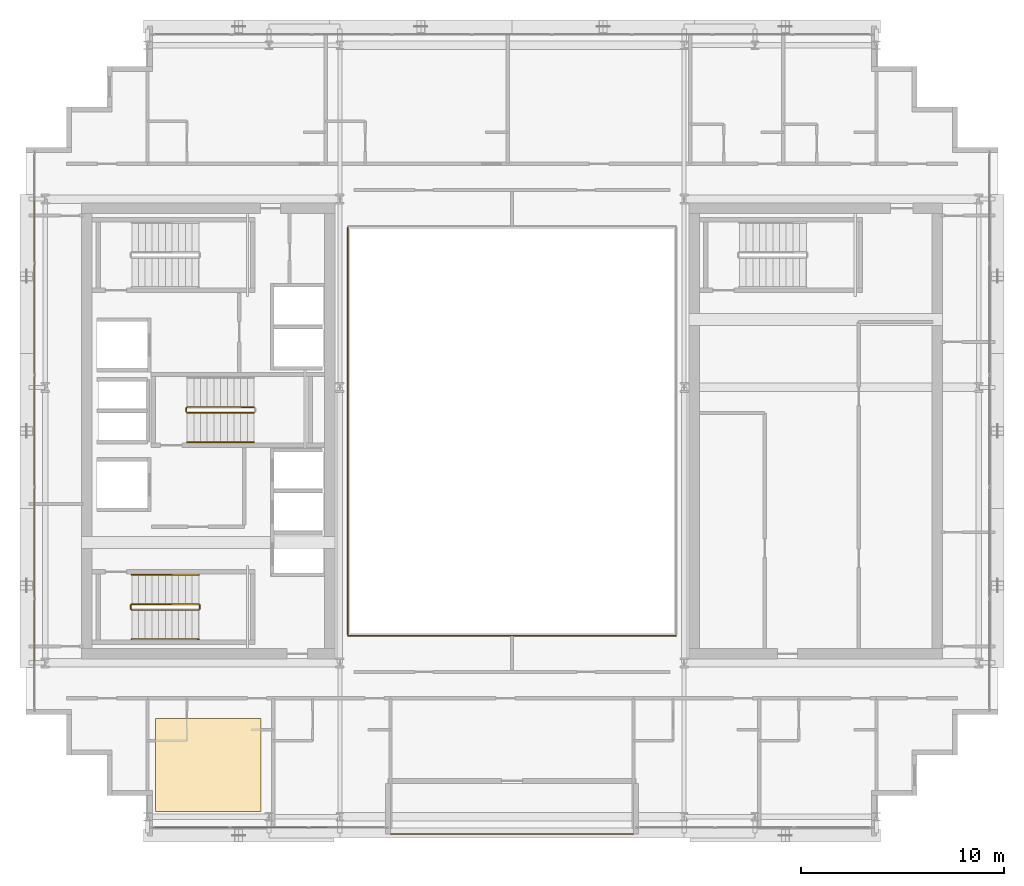
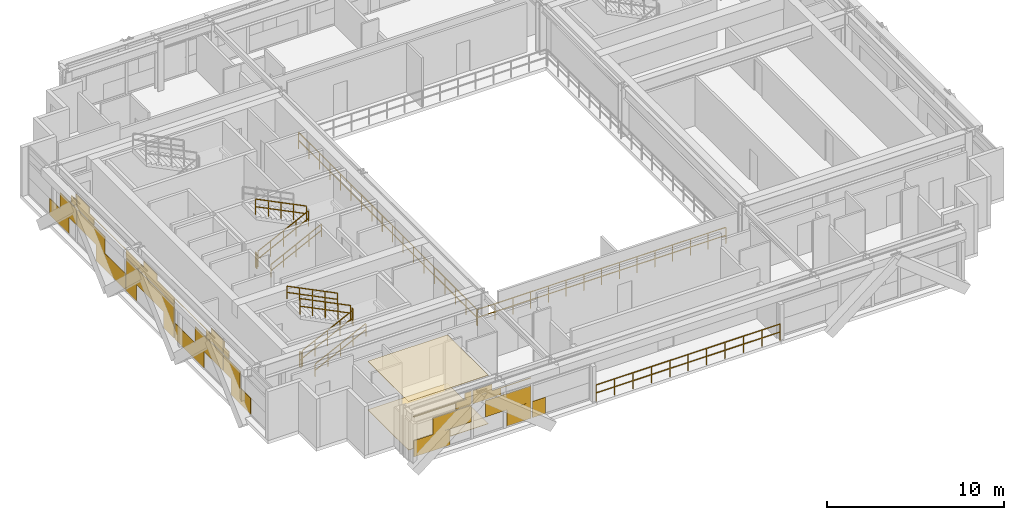
# One storey, part 28 of 31: 13 railings, 4 coverings.
"""IFC4 building model written with IfcOpenShell, lengths in metres."""

from ifc_helpers import new_model, si_unit, direction, frame, origin, origin_2d, place, context, subcontext, project, spatial, polyline, rectangle, outline, extrude, material, layer, layer_set, type_object, element, save


model = new_model("IFC4")

# Units and contexts
model_context = context("Model", 3, precision=1e-05, world=origin(), true_north=direction((0.0, 1.0)))
body_context = subcontext(model_context, "Body", "Model", "MODEL_VIEW")
ifc_project = project(units=[si_unit("LENGTHUNIT", "METRE"), si_unit("AREAUNIT", "SQUARE_METRE"), si_unit("VOLUMEUNIT", "CUBIC_METRE"), si_unit("PLANEANGLEUNIT", "RADIAN"), si_unit("MASSUNIT", "GRAM", prefix="KILO")], contexts=[model_context])

# Site, building, storey
site_placement = place(None, origin())
site = spatial("IfcSite", under=ifc_project, at=site_placement, CompositionType="ELEMENT")
building_placement = place(site_placement, origin())
building = spatial("IfcBuilding", under=site, at=building_placement, Name="Ocotamira Hotel", CompositionType="ELEMENT")
storey_placement = place(building_placement, frame((0.0, 0.0, 181.199951171875)))
storey = spatial("IfcBuildingStorey", under=building, at=storey_placement, Name="L45", CompositionType="ELEMENT", Elevation=181.199951171875)

# Coverings
ifc_material_1 = material(Name="Perforated acoustic gypsum ceiling board", Category="gypsum")
ifc_layer_1 = layer(ifc_material_1, 0.02490234375)
ifc_layer_set_1 = layer_set([ifc_layer_1], Name="Perforated acoustic gypsum ceiling board")
covering_type_1 = type_object("IfcCoveringType", Name="COV-CEIL-25", PredefinedType="CEILING", material=ifc_layer_set_1)
covering_1_placement = place(storey_placement, frame((0.0, 0.0, 3.344970703125)))
element("IfcCovering", 1, at=covering_1_placement, inside=storey, type_object=covering_type_1, Name="L45 Acoustic Ceiling", PredefinedType="CEILING", context=body_context, shape_type="SweptSolid", body=[
    extrude(outline(polyline([(14.39990234375, 7.199951171875), (19.60009765625, 7.199951171875), (19.60009765625, 11.800048828125), (14.39990234375, 11.800048828125), (14.39990234375, 7.199951171875)])), origin(), (0.0, 0.0, 1.0), 0.025146484375),
])
ifc_material_2 = material(Name="Honed desert travertine stone flooring", Category="masonry")
ifc_layer_2 = layer(ifc_material_2, 0.030029296875)
ifc_layer_set_2 = layer_set([ifc_layer_2], Name="Honed desert travertine stone flooring")
covering_type_2 = type_object("IfcCoveringType", Name="COV-FLOR-30", PredefinedType="FLOORING", material=ifc_layer_set_2)
covering_2_placement = place(storey_placement, origin())
element("IfcCovering", 2, at=covering_2_placement, inside=storey, type_object=covering_type_2, Name="L45 Honed Stone Floor Finish", PredefinedType="FLOORING", context=body_context, shape_type="SweptSolid", body=[
    extrude(outline(polyline([(14.39990234375, 7.199951171875), (19.60009765625, 7.199951171875), (19.60009765625, 11.800048828125), (14.39990234375, 11.800048828125), (14.39990234375, 7.199951171875)])), origin(), (0.0, 0.0, 1.0), 0.030029296875),
])
ifc_material_3 = material(Name="Insulated pale-metal aluminium spandrel panel", Category="aluminium")
ifc_layer_3 = layer(ifc_material_3, 0.044921875)
ifc_layer_set_3 = layer_set([ifc_layer_3], Name="Insulated pale-metal aluminium spandrel panel")
covering_type_3 = type_object("IfcCoveringType", Name="COV-INFILL-45", PredefinedType="CLADDING", material=ifc_layer_set_3)
covering_3_placement = place(storey_placement, origin())
element("IfcCovering", 3, at=covering_3_placement, inside=storey, type_object=covering_type_3, Name="L45 Curtain Wall Infill CW-4 CW-L45-S1", PredefinedType="CLADDING", context=body_context, shape_type="SweptSolid", body=[
    extrude(rectangle(XDim=2.37158203125, YDim=0.044921875, at=origin_2d()), frame((15.46630859375, 6.419921875, 0.07568359375), z_axis=(0.0, 0.0, 1.0), x_axis=(1.0, 0.0, 0.0)), (0.0, 0.0, 1.0), 1.117919921875),
    extrude(rectangle(XDim=2.510498046875, YDim=0.044921875, at=origin_2d()), frame((16.78759765625, 6.419921875, 1.1943359375), z_axis=(0.0, 0.0, 1.0), x_axis=(1.0, 0.0, 0.0)), (0.0, 0.0, 1.0), 1.11767578125),
    extrude(rectangle(XDim=3.76220703125, YDim=0.044921875, at=origin_2d()), frame((16.16162109375, 6.419921875, 2.83154296875), z_axis=(0.0, 0.0, 1.0), x_axis=(1.0, 0.0, 0.0)), (0.0, 0.0, 1.0), 0.0302734375),
    extrude(rectangle(XDim=1.018310546875, YDim=0.044921875, at=origin_2d()), frame((17.53369140625, 6.419921875, 2.38818359375), z_axis=(0.0, 0.0, 1.0), x_axis=(1.0, 0.0, 0.0)), (0.0, 0.0, 1.0), 0.442626953125),
    extrude(rectangle(XDim=0.4248046875, YDim=0.044921875, at=origin_2d()), frame((17.83056640625, 6.419921875, 2.863037109375), z_axis=(0.0, 0.0, 1.0), x_axis=(1.0, 0.0, 0.0)), (0.0, 0.0, 1.0), 0.431640625),
    extrude(rectangle(XDim=2.9765625, YDim=0.044921875, at=origin_2d()), frame((20.43798828125, 6.419921875, 1.1943359375), z_axis=(0.0, 0.0, 1.0), x_axis=(1.0, 0.0, 0.0)), (0.0, 0.0, 1.0), 1.11767578125),
    extrude(rectangle(XDim=1.578125, YDim=0.044921875, at=origin_2d()), frame((21.13720703125, 6.419921875, 0.07568359375), z_axis=(0.0, 0.0, 1.0), x_axis=(1.0, 0.0, 0.0)), (0.0, 0.0, 1.0), 1.117919921875),
    extrude(rectangle(XDim=1.8515625, YDim=0.044921875, at=origin_2d()), frame((19.049560546875, 6.419921875, 2.38818359375), z_axis=(0.0, 0.0, 1.0), x_axis=(1.0, 0.0, 0.0)), (0.0, 0.0, 1.0), 0.442626953125),
    extrude(rectangle(XDim=3.80224609375, YDim=0.044921875, at=origin_2d()), frame((20.02490234375, 6.419921875, 2.83154296875), z_axis=(0.0, 0.0, 1.0), x_axis=(1.0, 0.0, 0.0)), (0.0, 0.0, 1.0), 0.0302734375),
    extrude(rectangle(XDim=1.258056640625, YDim=0.044921875, at=origin_2d()), frame((18.7529296875, 6.419921875, 2.863037109375), z_axis=(0.0, 0.0, 1.0), x_axis=(1.0, 0.0, 0.0)), (0.0, 0.0, 1.0), 0.431640625),
    extrude(rectangle(XDim=0.85888671875, YDim=0.044921875, at=origin_2d()), frame((22.4365234375, 6.419921875, 0.07568359375), z_axis=(0.0, 0.0, 1.0), x_axis=(1.0, 0.0, 0.0)), (0.0, 0.0, 1.0), 1.117919921875),
])
covering_4_placement = place(storey_placement, origin())
element("IfcCovering", 4, at=covering_4_placement, inside=storey, type_object=covering_type_3, Name="L45 Curtain Wall Infill CW-4 CW-L45-W", PredefinedType="CLADDING", context=body_context, shape_type="SweptSolid", body=[
    extrude(rectangle(XDim=2.205078125, YDim=0.044921875, at=origin_2d()), frame((8.419921875, 15.7314453125, 0.07568359375), z_axis=(0.0, 0.0, 1.0), x_axis=(0.0, 1.0, 0.0)), (0.0, 0.0, 1.0), 1.117919921875),
    extrude(rectangle(XDim=1.864501953125, YDim=0.044921875, at=origin_2d()), frame((8.419921875, 16.747314453125, 1.1943359375), z_axis=(0.0, 0.0, 1.0), x_axis=(0.0, 1.0, 0.0)), (0.0, 0.0, 1.0), 1.11767578125),
    extrude(rectangle(XDim=0.59912109375, YDim=0.044921875, at=origin_2d()), frame((8.419921875, 17.3798828125, 2.38818359375), z_axis=(0.0, 0.0, 1.0), x_axis=(0.0, 1.0, 0.0)), (0.0, 0.0, 1.0), 0.493896484375),
    extrude(rectangle(XDim=0.07421875, YDim=0.044921875, at=origin_2d()), frame((8.419921875, 17.642333984375, 2.883056640625), z_axis=(0.0, 0.0, 1.0), x_axis=(0.0, 1.0, 0.0)), (0.0, 0.0, 1.0), 0.41162109375),
    extrude(rectangle(XDim=3.157958984375, YDim=0.044921875, at=origin_2d()), frame((8.419921875, 19.33935546875, 1.1943359375), z_axis=(0.0, 0.0, 1.0), x_axis=(0.0, 1.0, 0.0)), (0.0, 0.0, 1.0), 1.11767578125),
    extrude(rectangle(XDim=3.30029296875, YDim=0.044921875, at=origin_2d()), frame((8.419921875, 21.54931640625, 0.07568359375), z_axis=(0.0, 0.0, 1.0), x_axis=(0.0, 1.0, 0.0)), (0.0, 0.0, 1.0), 1.117919921875),
    extrude(rectangle(XDim=1.892333984375, YDim=0.044921875, at=origin_2d()), frame((8.419921875, 18.70654296875, 2.38818359375), z_axis=(0.0, 0.0, 1.0), x_axis=(0.0, 1.0, 0.0)), (0.0, 0.0, 1.0), 0.459716796875),
    extrude(rectangle(XDim=5.43896484375, YDim=0.044921875, at=origin_2d()), frame((8.419921875, 20.47998046875, 2.848876953125), z_axis=(0.0, 0.0, 1.0), x_axis=(0.0, 1.0, 0.0)), (0.0, 0.0, 1.0), 0.033203125),
    extrude(rectangle(XDim=1.367431640625, YDim=0.044921875, at=origin_2d()), frame((8.419921875, 18.444091796875, 2.883056640625), z_axis=(0.0, 0.0, 1.0), x_axis=(0.0, 1.0, 0.0)), (0.0, 0.0, 1.0), 0.41162109375),
    extrude(rectangle(XDim=1.18701171875, YDim=0.044921875, at=origin_2d()), frame((8.419921875, 23.873779296875, 0.07568359375), z_axis=(0.0, 0.0, 1.0), x_axis=(0.0, 1.0, 0.0)), (0.0, 0.0, 1.0), 1.117919921875),
    extrude(rectangle(XDim=5.43896484375, YDim=0.044921875, at=origin_2d()), frame((8.419921875, 26.0, 1.1943359375), z_axis=(0.0, 0.0, 1.0), x_axis=(0.0, 1.0, 0.0)), (0.0, 0.0, 1.0), 1.11767578125),
    extrude(rectangle(XDim=1.18701171875, YDim=0.044921875, at=origin_2d()), frame((8.419921875, 28.126220703125, 0.07568359375), z_axis=(0.0, 0.0, 1.0), x_axis=(0.0, 1.0, 0.0)), (0.0, 0.0, 1.0), 1.117919921875),
    extrude(rectangle(XDim=5.43896484375, YDim=0.044921875, at=origin_2d()), frame((8.419921875, 26.0, 2.38818359375), z_axis=(0.0, 0.0, 1.0), x_axis=(0.0, 1.0, 0.0)), (0.0, 0.0, 1.0), 0.493896484375),
    extrude(rectangle(XDim=1.522705078125, YDim=0.044921875, at=origin_2d()), frame((8.419921875, 26.0, 2.883056640625), z_axis=(0.0, 0.0, 1.0), x_axis=(0.0, 1.0, 0.0)), (0.0, 0.0, 1.0), 0.41162109375),
    extrude(rectangle(XDim=3.30029296875, YDim=0.044921875, at=origin_2d()), frame((8.419921875, 30.45068359375, 0.07568359375), z_axis=(0.0, 0.0, 1.0), x_axis=(0.0, 1.0, 0.0)), (0.0, 0.0, 1.0), 1.117919921875),
    extrude(rectangle(XDim=3.157958984375, YDim=0.044921875, at=origin_2d()), frame((8.419921875, 32.66064453125, 1.1943359375), z_axis=(0.0, 0.0, 1.0), x_axis=(0.0, 1.0, 0.0)), (0.0, 0.0, 1.0), 1.11767578125),
    extrude(rectangle(XDim=5.43896484375, YDim=0.044921875, at=origin_2d()), frame((8.419921875, 31.52001953125, 2.848876953125), z_axis=(0.0, 0.0, 1.0), x_axis=(0.0, 1.0, 0.0)), (0.0, 0.0, 1.0), 0.033203125),
    extrude(rectangle(XDim=1.892333984375, YDim=0.044921875, at=origin_2d()), frame((8.419921875, 33.29345703125, 2.38818359375), z_axis=(0.0, 0.0, 1.0), x_axis=(0.0, 1.0, 0.0)), (0.0, 0.0, 1.0), 0.459716796875),
    extrude(rectangle(XDim=1.367431640625, YDim=0.044921875, at=origin_2d()), frame((8.419921875, 33.555908203125, 2.883056640625), z_axis=(0.0, 0.0, 1.0), x_axis=(0.0, 1.0, 0.0)), (0.0, 0.0, 1.0), 0.41162109375),
    extrude(rectangle(XDim=1.864501953125, YDim=0.044921875, at=origin_2d()), frame((8.419921875, 35.252685546875, 1.1943359375), z_axis=(0.0, 0.0, 1.0), x_axis=(0.0, 1.0, 0.0)), (0.0, 0.0, 1.0), 1.11767578125),
    extrude(rectangle(XDim=2.205078125, YDim=0.044921875, at=origin_2d()), frame((8.419921875, 36.2685546875, 0.07568359375), z_axis=(0.0, 0.0, 1.0), x_axis=(0.0, 1.0, 0.0)), (0.0, 0.0, 1.0), 1.117919921875),
    extrude(rectangle(XDim=0.59912109375, YDim=0.044921875, at=origin_2d()), frame((8.419921875, 34.6201171875, 2.38818359375), z_axis=(0.0, 0.0, 1.0), x_axis=(0.0, 1.0, 0.0)), (0.0, 0.0, 1.0), 0.493896484375),
    extrude(rectangle(XDim=0.07421875, YDim=0.044921875, at=origin_2d()), frame((8.419921875, 34.357666015625, 2.883056640625), z_axis=(0.0, 0.0, 1.0), x_axis=(0.0, 1.0, 0.0)), (0.0, 0.0, 1.0), 0.41162109375),
])

# Railings
ifc_material_4 = material(Name="Laminated glass and pale-metal balustrade", Category="glass")
railing_type_1 = type_object("IfcRailingType", Name="RL-BAL-1150", PredefinedType="BALUSTRADE", material=ifc_material_4)
railing_1_placement = place(storey_placement, frame((26.0, 6.10009765625, 0.0)))
element("IfcRailing", 5, at=railing_1_placement, inside=storey, type_object=railing_type_1, Name="L45 Sky Terrace Balustrade 1", PredefinedType="BALUSTRADE", context=body_context, shape_type="SweptSolid", body=[
    extrude(rectangle(XDim=0.048095703125, YDim=0.048095703125, at=origin_2d()), frame((0.0, 0.0, 1.1259765625), z_axis=(1.0, 0.0, 0.0), x_axis=(0.0, 1.0, 0.0)), (0.0, 0.0, 1.0), 12.0),
    extrude(rectangle(XDim=0.048095703125, YDim=0.048095703125, at=origin_2d()), frame((0.0, 0.0, 0.574951171875), z_axis=(1.0, 0.0, 0.0), x_axis=(0.0, 1.0, 0.0)), (0.0, 0.0, 1.0), 12.0),
    extrude(rectangle(XDim=0.0419921875, YDim=0.0419921875, at=origin_2d()), origin(), (0.0, 0.0, 1.0), 1.101806640625),
    extrude(rectangle(XDim=0.0419921875, YDim=0.0419921875, at=origin_2d()), frame((1.199951171875, 0.0, 0.0)), (0.0, 0.0, 1.0), 1.101806640625),
    extrude(rectangle(XDim=0.0419921875, YDim=0.0419921875, at=origin_2d()), frame((2.39990234375, 0.0, 0.0)), (0.0, 0.0, 1.0), 1.101806640625),
    extrude(rectangle(XDim=0.0419921875, YDim=0.0419921875, at=origin_2d()), frame((3.60009765625, 0.0, 0.0)), (0.0, 0.0, 1.0), 1.101806640625),
    extrude(rectangle(XDim=0.0419921875, YDim=0.0419921875, at=origin_2d()), frame((4.800048828125, 0.0, 0.0)), (0.0, 0.0, 1.0), 1.101806640625),
    extrude(rectangle(XDim=0.0419921875, YDim=0.0419921875, at=origin_2d()), frame((6.0, 0.0, 0.0)), (0.0, 0.0, 1.0), 1.101806640625),
    extrude(rectangle(XDim=0.0419921875, YDim=0.0419921875, at=origin_2d()), frame((7.199951171875, 0.0, 0.0)), (0.0, 0.0, 1.0), 1.101806640625),
    extrude(rectangle(XDim=0.0419921875, YDim=0.0419921875, at=origin_2d()), frame((8.39990234375, 0.0, 0.0)), (0.0, 0.0, 1.0), 1.101806640625),
    extrude(rectangle(XDim=0.0419921875, YDim=0.0419921875, at=origin_2d()), frame((9.60009765625, 0.0, 0.0)), (0.0, 0.0, 1.0), 1.101806640625),
    extrude(rectangle(XDim=0.0419921875, YDim=0.0419921875, at=origin_2d()), frame((10.800048828125, 0.0, 0.0)), (0.0, 0.0, 1.0), 1.101806640625),
    extrude(rectangle(XDim=0.0419921875, YDim=0.0419921875, at=origin_2d()), frame((12.0, 0.0, 0.0)), (0.0, 0.0, 1.0), 1.101806640625),
])
ifc_material_5 = material(Name="Painted steel stair guardrail", Category="steel")
railing_type_2 = type_object("IfcRailingType", Name="RL-EDGE-1150", PredefinedType="GUARDRAIL", material=ifc_material_5)
railing_2_placement = place(storey_placement, frame((23.89990234375, 15.8798828125, 0.0)))
element("IfcRailing", 6, at=railing_2_placement, inside=storey, type_object=railing_type_2, Name="L45 Central Atrium Edge Guardrail S", PredefinedType="GUARDRAIL", context=body_context, shape_type="SweptSolid", body=[
    extrude(rectangle(XDim=0.048095703125, YDim=0.048095703125, at=origin_2d()), frame((0.0, 0.0, 1.1259765625), z_axis=(1.0, 0.0, 0.0), x_axis=(0.0, 1.0, 0.0)), (0.0, 0.0, 1.0), 16.2001953125),
    extrude(rectangle(XDim=0.048095703125, YDim=0.048095703125, at=origin_2d()), frame((0.0, 0.0, 0.574951171875), z_axis=(1.0, 0.0, 0.0), x_axis=(0.0, 1.0, 0.0)), (0.0, 0.0, 1.0), 16.2001953125),
    extrude(rectangle(XDim=0.0419921875, YDim=0.0419921875, at=origin_2d()), origin(), (0.0, 0.0, 1.0), 1.101806640625),
    extrude(rectangle(XDim=0.0419921875, YDim=0.0419921875, at=origin_2d()), frame((1.1572265625, 0.0, 0.0)), (0.0, 0.0, 1.0), 1.101806640625),
    extrude(rectangle(XDim=0.0419921875, YDim=0.0419921875, at=origin_2d()), frame((2.314208984375, 0.0, 0.0)), (0.0, 0.0, 1.0), 1.101806640625),
    extrude(rectangle(XDim=0.0419921875, YDim=0.0419921875, at=origin_2d()), frame((3.471435546875, 0.0, 0.0)), (0.0, 0.0, 1.0), 1.101806640625),
    extrude(rectangle(XDim=0.0419921875, YDim=0.0419921875, at=origin_2d()), frame((4.628662109375, 0.0, 0.0)), (0.0, 0.0, 1.0), 1.101806640625),
    extrude(rectangle(XDim=0.0419921875, YDim=0.0419921875, at=origin_2d()), frame((5.785888671875, 0.0, 0.0)), (0.0, 0.0, 1.0), 1.101806640625),
    extrude(rectangle(XDim=0.0419921875, YDim=0.0419921875, at=origin_2d()), frame((6.94287109375, 0.0, 0.0)), (0.0, 0.0, 1.0), 1.101806640625),
    extrude(rectangle(XDim=0.0419921875, YDim=0.0419921875, at=origin_2d()), frame((8.10009765625, 0.0, 0.0)), (0.0, 0.0, 1.0), 1.101806640625),
    extrude(rectangle(XDim=0.0419921875, YDim=0.0419921875, at=origin_2d()), frame((9.25732421875, 0.0, 0.0)), (0.0, 0.0, 1.0), 1.101806640625),
    extrude(rectangle(XDim=0.0419921875, YDim=0.0419921875, at=origin_2d()), frame((10.414306640625, 0.0, 0.0)), (0.0, 0.0, 1.0), 1.101806640625),
    extrude(rectangle(XDim=0.0419921875, YDim=0.0419921875, at=origin_2d()), frame((11.571533203125, 0.0, 0.0)), (0.0, 0.0, 1.0), 1.101806640625),
    extrude(rectangle(XDim=0.0419921875, YDim=0.0419921875, at=origin_2d()), frame((12.728759765625, 0.0, 0.0)), (0.0, 0.0, 1.0), 1.101806640625),
    extrude(rectangle(XDim=0.0419921875, YDim=0.0419921875, at=origin_2d()), frame((13.885986328125, 0.0, 0.0)), (0.0, 0.0, 1.0), 1.101806640625),
    extrude(rectangle(XDim=0.0419921875, YDim=0.0419921875, at=origin_2d()), frame((15.04296875, 0.0, 0.0)), (0.0, 0.0, 1.0), 1.101806640625),
    extrude(rectangle(XDim=0.0419921875, YDim=0.0419921875, at=origin_2d()), frame((16.2001953125, 0.0, 0.0)), (0.0, 0.0, 1.0), 1.101806640625),
])
railing_3_placement = place(storey_placement, frame((23.8798828125, 36.0400390625, 0.0)))
element("IfcRailing", 7, at=railing_3_placement, inside=storey, type_object=railing_type_2, Name="L45 Central Atrium Edge Guardrail W", PredefinedType="GUARDRAIL", context=body_context, shape_type="SweptSolid", body=[
    extrude(rectangle(XDim=0.048095703125, YDim=0.048095703125, at=origin_2d()), frame((0.0, 0.0, 1.1259765625), z_axis=(0.0, -1.0, 0.0), x_axis=(1.0, 0.0, 0.0)), (0.0, 0.0, 1.0), 20.080078125),
    extrude(rectangle(XDim=0.048095703125, YDim=0.048095703125, at=origin_2d()), frame((0.0, 0.0, 0.574951171875), z_axis=(0.0, -1.0, 0.0), x_axis=(1.0, 0.0, 0.0)), (0.0, 0.0, 1.0), 20.080078125),
    extrude(rectangle(XDim=0.0419921875, YDim=0.0419921875, at=origin_2d()), origin(), (0.0, 0.0, 1.0), 1.101806640625),
    extrude(rectangle(XDim=0.0419921875, YDim=0.0419921875, at=origin_2d()), frame((0.0, -1.18115234375, 0.0)), (0.0, 0.0, 1.0), 1.101806640625),
    extrude(rectangle(XDim=0.0419921875, YDim=0.0419921875, at=origin_2d()), frame((0.0, -2.3623046875, 0.0)), (0.0, 0.0, 1.0), 1.101806640625),
    extrude(rectangle(XDim=0.0419921875, YDim=0.0419921875, at=origin_2d()), frame((0.0, -3.54345703125, 0.0)), (0.0, 0.0, 1.0), 1.101806640625),
    extrude(rectangle(XDim=0.0419921875, YDim=0.0419921875, at=origin_2d()), frame((0.0, -4.724609375, 0.0)), (0.0, 0.0, 1.0), 1.101806640625),
    extrude(rectangle(XDim=0.0419921875, YDim=0.0419921875, at=origin_2d()), frame((0.0, -5.906005859375, 0.0)), (0.0, 0.0, 1.0), 1.101806640625),
    extrude(rectangle(XDim=0.0419921875, YDim=0.0419921875, at=origin_2d()), frame((0.0, -7.087158203125, 0.0)), (0.0, 0.0, 1.0), 1.101806640625),
    extrude(rectangle(XDim=0.0419921875, YDim=0.0419921875, at=origin_2d()), frame((0.0, -8.268310546875, 0.0)), (0.0, 0.0, 1.0), 1.101806640625),
    extrude(rectangle(XDim=0.0419921875, YDim=0.0419921875, at=origin_2d()), frame((0.0, -9.449462890625, 0.0)), (0.0, 0.0, 1.0), 1.101806640625),
    extrude(rectangle(XDim=0.0419921875, YDim=0.0419921875, at=origin_2d()), frame((0.0, -10.630615234375, 0.0)), (0.0, 0.0, 1.0), 1.101806640625),
    extrude(rectangle(XDim=0.0419921875, YDim=0.0419921875, at=origin_2d()), frame((0.0, -11.811767578125, 0.0)), (0.0, 0.0, 1.0), 1.101806640625),
    extrude(rectangle(XDim=0.0419921875, YDim=0.0419921875, at=origin_2d()), frame((0.0, -12.992919921875, 0.0)), (0.0, 0.0, 1.0), 1.101806640625),
    extrude(rectangle(XDim=0.0419921875, YDim=0.0419921875, at=origin_2d()), frame((0.0, -14.174072265625, 0.0)), (0.0, 0.0, 1.0), 1.101806640625),
    extrude(rectangle(XDim=0.0419921875, YDim=0.0419921875, at=origin_2d()), frame((0.0, -15.35546875, 0.0)), (0.0, 0.0, 1.0), 1.101806640625),
    extrude(rectangle(XDim=0.0419921875, YDim=0.0419921875, at=origin_2d()), frame((0.0, -16.53662109375, 0.0)), (0.0, 0.0, 1.0), 1.101806640625),
    extrude(rectangle(XDim=0.0419921875, YDim=0.0419921875, at=origin_2d()), frame((0.0, -17.7177734375, 0.0)), (0.0, 0.0, 1.0), 1.101806640625),
    extrude(rectangle(XDim=0.0419921875, YDim=0.0419921875, at=origin_2d()), frame((0.0, -18.89892578125, 0.0)), (0.0, 0.0, 1.0), 1.101806640625),
    extrude(rectangle(XDim=0.0419921875, YDim=0.0419921875, at=origin_2d()), frame((0.0, -20.080078125, 0.0)), (0.0, 0.0, 1.0), 1.101806640625),
])
ifc_material_6 = material(Name="Brushed stainless steel handrail", Category="steel")
railing_type_3 = type_object("IfcRailingType", Name="RL-HAND-900", PredefinedType="HANDRAIL", material=ifc_material_6)
railing_4_placement = place(storey_placement, frame((13.22998046875, 15.719970703125, 0.327392578125)))
element("IfcRailing", 8, at=railing_4_placement, inside=storey, type_object=railing_type_3, Name="L45 ST-1 stair handrail 1", PredefinedType="HANDRAIL", context=body_context, shape_type="SweptSolid", body=[
    extrude(rectangle(XDim=0.048095703125, YDim=0.048095703125, at=origin_2d()), frame((0.0, 0.0, 0.8759765625), z_axis=(0.895920123917, 0.0, 0.444215186098), x_axis=(0.0, 1.0, 0.0)), (0.0, 0.0, 1.0), 3.683349609375),
    extrude(rectangle(XDim=0.048095703125, YDim=0.048095703125, at=origin_2d()), frame((0.0, 0.0, 0.449951171875), z_axis=(0.895920123917, 0.0, 0.444215186098), x_axis=(0.0, 1.0, 0.0)), (0.0, 0.0, 1.0), 3.683349609375),
    extrude(rectangle(XDim=0.0419921875, YDim=0.0419921875, at=origin_2d()), origin(), (0.0, 0.0, 1.0), 0.851806640625),
    extrude(rectangle(XDim=0.0419921875, YDim=0.0419921875, at=origin_2d()), frame((0.824951171875, 0.0, 0.4091796875)), (0.0, 0.0, 1.0), 0.851806640625),
    extrude(rectangle(XDim=0.0419921875, YDim=0.0419921875, at=origin_2d()), frame((1.64990234375, 0.0, 0.818115234375)), (0.0, 0.0, 1.0), 0.851806640625),
    extrude(rectangle(XDim=0.0419921875, YDim=0.0419921875, at=origin_2d()), frame((2.47509765625, 0.0, 1.22705078125)), (0.0, 0.0, 1.0), 0.851806640625),
    extrude(rectangle(XDim=0.0419921875, YDim=0.0419921875, at=origin_2d()), frame((3.300048828125, 0.0, 1.63623046875)), (0.0, 0.0, 1.0), 0.851806640625),
])
railing_5_placement = place(storey_placement, frame((16.530029296875, 18.89990234375, 2.12744140625)))
element("IfcRailing", 9, at=railing_5_placement, inside=storey, type_object=railing_type_3, Name="L45 ST-1 stair handrail 2", PredefinedType="HANDRAIL", context=body_context, shape_type="SweptSolid", body=[
    extrude(rectangle(XDim=0.048095703125, YDim=0.048095703125, at=origin_2d()), frame((0.0, 0.0, 0.8759765625), z_axis=(-0.895920123917, 0.0, 0.444215186098), x_axis=(0.0, -1.0, 0.0)), (0.0, 0.0, 1.0), 3.683349609375),
    extrude(rectangle(XDim=0.048095703125, YDim=0.048095703125, at=origin_2d()), frame((0.0, 0.0, 0.449951171875), z_axis=(-0.895920123917, 0.0, 0.444215186098), x_axis=(0.0, -1.0, 0.0)), (0.0, 0.0, 1.0), 3.683349609375),
    extrude(rectangle(XDim=0.0419921875, YDim=0.0419921875, at=origin_2d()), origin(), (0.0, 0.0, 1.0), 0.851806640625),
    extrude(rectangle(XDim=0.0419921875, YDim=0.0419921875, at=origin_2d()), frame((-0.824951171875, 0.0, 0.4091796875)), (0.0, 0.0, 1.0), 0.851806640625),
    extrude(rectangle(XDim=0.0419921875, YDim=0.0419921875, at=origin_2d()), frame((-1.64990234375, 0.0, 0.818115234375)), (0.0, 0.0, 1.0), 0.851806640625),
    extrude(rectangle(XDim=0.0419921875, YDim=0.0419921875, at=origin_2d()), frame((-2.47509765625, 0.0, 1.22705078125)), (0.0, 0.0, 1.0), 0.851806640625),
    extrude(rectangle(XDim=0.0419921875, YDim=0.0419921875, at=origin_2d()), frame((-3.300048828125, 0.0, 1.63623046875)), (0.0, 0.0, 1.0), 0.851806640625),
])
railing_6_placement = place(storey_placement, frame((15.9599609375, 25.449951171875, 0.327392578125)))
element("IfcRailing", 10, at=railing_6_placement, inside=storey, type_object=railing_type_3, Name="L45 ST-3 stair handrail 1", PredefinedType="HANDRAIL", context=body_context, shape_type="SweptSolid", body=[
    extrude(rectangle(XDim=0.048095703125, YDim=0.048095703125, at=origin_2d()), frame((0.0, 0.0, 0.8759765625), z_axis=(0.895920123917, 0.0, 0.444215186098), x_axis=(0.0, 1.0, 0.0)), (0.0, 0.0, 1.0), 3.683349609375),
    extrude(rectangle(XDim=0.048095703125, YDim=0.048095703125, at=origin_2d()), frame((0.0, 0.0, 0.449951171875), z_axis=(0.895920123917, 0.0, 0.444215186098), x_axis=(0.0, 1.0, 0.0)), (0.0, 0.0, 1.0), 3.683349609375),
    extrude(rectangle(XDim=0.0419921875, YDim=0.0419921875, at=origin_2d()), origin(), (0.0, 0.0, 1.0), 0.851806640625),
    extrude(rectangle(XDim=0.0419921875, YDim=0.0419921875, at=origin_2d()), frame((0.824951171875, 0.0, 0.4091796875)), (0.0, 0.0, 1.0), 0.851806640625),
    extrude(rectangle(XDim=0.0419921875, YDim=0.0419921875, at=origin_2d()), frame((1.64990234375, 0.0, 0.818115234375)), (0.0, 0.0, 1.0), 0.851806640625),
    extrude(rectangle(XDim=0.0419921875, YDim=0.0419921875, at=origin_2d()), frame((2.47509765625, 0.0, 1.22705078125)), (0.0, 0.0, 1.0), 0.851806640625),
    extrude(rectangle(XDim=0.0419921875, YDim=0.0419921875, at=origin_2d()), frame((3.300048828125, 0.0, 1.63623046875)), (0.0, 0.0, 1.0), 0.851806640625),
])
railing_type_4 = type_object("IfcRailingType", Name="RL-STAIR-1100", PredefinedType="GUARDRAIL", material=ifc_material_5)
railing_7_placement = place(storey_placement, frame((13.22998046875, 17.179931640625, 0.16357421875)))
element("IfcRailing", 11, at=railing_7_placement, inside=storey, type_object=railing_type_4, Name="L45 ST-1 stair guard 1", PredefinedType="GUARDRAIL", context=body_context, shape_type="SweptSolid", body=[
    extrude(rectangle(XDim=0.048095703125, YDim=0.048095703125, at=origin_2d()), frame((0.0, 0.0, 1.076171875), z_axis=(0.895893744519, 0.0, 0.4442683857), x_axis=(0.0, 1.0, 0.0)), (0.0, 0.0, 1.0), 3.68359375),
    extrude(rectangle(XDim=0.048095703125, YDim=0.048095703125, at=origin_2d()), frame((0.0, 0.0, 0.550048828125), z_axis=(0.895893744519, 0.0, 0.4442683857), x_axis=(0.0, 1.0, 0.0)), (0.0, 0.0, 1.0), 3.68359375),
    extrude(rectangle(XDim=0.0419921875, YDim=0.0419921875, at=origin_2d()), origin(), (0.0, 0.0, 1.0), 1.052001953125),
    extrude(rectangle(XDim=0.0419921875, YDim=0.0419921875, at=origin_2d()), frame((0.824951171875, 0.0, 0.4091796875)), (0.0, 0.0, 1.0), 1.052001953125),
    extrude(rectangle(XDim=0.0419921875, YDim=0.0419921875, at=origin_2d()), frame((1.64990234375, 0.0, 0.818359375)), (0.0, 0.0, 1.0), 1.052001953125),
    extrude(rectangle(XDim=0.0419921875, YDim=0.0419921875, at=origin_2d()), frame((2.47509765625, 0.0, 1.227294921875)), (0.0, 0.0, 1.0), 1.052001953125),
    extrude(rectangle(XDim=0.0419921875, YDim=0.0419921875, at=origin_2d()), frame((3.300048828125, 0.0, 1.636474609375)), (0.0, 0.0, 1.0), 1.052001953125),
])
railing_8_placement = place(storey_placement, frame((16.580078125, 17.22998046875, 1.800048828125)))
element("IfcRailing", 12, at=railing_8_placement, inside=storey, type_object=railing_type_4, Name="L45 ST-1 stair guard 2", PredefinedType="GUARDRAIL", context=body_context, shape_type="SweptSolid", body=[
    extrude(rectangle(XDim=0.048095703125, YDim=0.048095703125, at=origin_2d()), frame((0.0, 0.0, 1.076171875), z_axis=(0.0, 1.0, 0.0), x_axis=(-1.0, 0.0, 0.0)), (0.0, 0.0, 1.0), 0.159912109375),
    extrude(rectangle(XDim=0.048095703125, YDim=0.048095703125, at=origin_2d()), frame((0.0, 0.0, 0.550048828125), z_axis=(0.0, 1.0, 0.0), x_axis=(-1.0, 0.0, 0.0)), (0.0, 0.0, 1.0), 0.159912109375),
    extrude(rectangle(XDim=0.0419921875, YDim=0.0419921875, at=origin_2d()), origin(), (0.0, 0.0, 1.0), 1.052001953125),
    extrude(rectangle(XDim=0.0419921875, YDim=0.0419921875, at=origin_2d()), frame((0.0, 0.159912109375, 0.0)), (0.0, 0.0, 1.0), 1.052001953125),
])
railing_9_placement = place(storey_placement, frame((16.530029296875, 17.43994140625, 1.963623046875)))
element("IfcRailing", 13, at=railing_9_placement, inside=storey, type_object=railing_type_4, Name="L45 ST-1 stair guard 3", PredefinedType="GUARDRAIL", context=body_context, shape_type="SweptSolid", body=[
    extrude(rectangle(XDim=0.048095703125, YDim=0.048095703125, at=origin_2d()), frame((0.0, 0.0, 1.076171875), z_axis=(-0.895893744519, 0.0, 0.4442683857), x_axis=(0.0, -1.0, 0.0)), (0.0, 0.0, 1.0), 3.68359375),
    extrude(rectangle(XDim=0.048095703125, YDim=0.048095703125, at=origin_2d()), frame((0.0, 0.0, 0.550048828125), z_axis=(-0.895893744519, 0.0, 0.4442683857), x_axis=(0.0, -1.0, 0.0)), (0.0, 0.0, 1.0), 3.68359375),
    extrude(rectangle(XDim=0.0419921875, YDim=0.0419921875, at=origin_2d()), origin(), (0.0, 0.0, 1.0), 1.052001953125),
    extrude(rectangle(XDim=0.0419921875, YDim=0.0419921875, at=origin_2d()), frame((-0.824951171875, 0.0, 0.4091796875)), (0.0, 0.0, 1.0), 1.052001953125),
    extrude(rectangle(XDim=0.0419921875, YDim=0.0419921875, at=origin_2d()), frame((-1.64990234375, 0.0, 0.818359375)), (0.0, 0.0, 1.0), 1.052001953125),
    extrude(rectangle(XDim=0.0419921875, YDim=0.0419921875, at=origin_2d()), frame((-2.47509765625, 0.0, 1.227294921875)), (0.0, 0.0, 1.0), 1.052001953125),
    extrude(rectangle(XDim=0.0419921875, YDim=0.0419921875, at=origin_2d()), frame((-3.300048828125, 0.0, 1.636474609375)), (0.0, 0.0, 1.0), 1.052001953125),
])
railing_10_placement = place(storey_placement, frame((13.179931640625, 17.22998046875, 0.0)))
element("IfcRailing", 14, at=railing_10_placement, inside=storey, type_object=railing_type_4, Name="L45 ST-1 stair guard 4", PredefinedType="GUARDRAIL", context=body_context, shape_type="SweptSolid", body=[
    extrude(rectangle(XDim=0.048095703125, YDim=0.048095703125, at=origin_2d()), frame((0.0, 0.0, 1.076171875), z_axis=(0.0, 1.0, 0.0), x_axis=(-1.0, 0.0, 0.0)), (0.0, 0.0, 1.0), 0.159912109375),
    extrude(rectangle(XDim=0.048095703125, YDim=0.048095703125, at=origin_2d()), frame((0.0, 0.0, 0.550048828125), z_axis=(0.0, 1.0, 0.0), x_axis=(-1.0, 0.0, 0.0)), (0.0, 0.0, 1.0), 0.159912109375),
    extrude(rectangle(XDim=0.0419921875, YDim=0.0419921875, at=origin_2d()), origin(), (0.0, 0.0, 1.0), 1.052001953125),
    extrude(rectangle(XDim=0.0419921875, YDim=0.0419921875, at=origin_2d()), frame((0.0, 0.159912109375, 0.0)), (0.0, 0.0, 1.0), 1.052001953125),
])
railing_11_placement = place(storey_placement, frame((15.9599609375, 26.909912109375, 0.16357421875)))
element("IfcRailing", 15, at=railing_11_placement, inside=storey, type_object=railing_type_4, Name="L45 ST-3 stair guard 1", PredefinedType="GUARDRAIL", context=body_context, shape_type="SweptSolid", body=[
    extrude(rectangle(XDim=0.048095703125, YDim=0.048095703125, at=origin_2d()), frame((0.0, 0.0, 1.076171875), z_axis=(0.895893744519, 0.0, 0.4442683857), x_axis=(0.0, 1.0, 0.0)), (0.0, 0.0, 1.0), 3.68359375),
    extrude(rectangle(XDim=0.048095703125, YDim=0.048095703125, at=origin_2d()), frame((0.0, 0.0, 0.550048828125), z_axis=(0.895893744519, 0.0, 0.4442683857), x_axis=(0.0, 1.0, 0.0)), (0.0, 0.0, 1.0), 3.68359375),
    extrude(rectangle(XDim=0.0419921875, YDim=0.0419921875, at=origin_2d()), origin(), (0.0, 0.0, 1.0), 1.052001953125),
    extrude(rectangle(XDim=0.0419921875, YDim=0.0419921875, at=origin_2d()), frame((0.824951171875, 0.0, 0.4091796875)), (0.0, 0.0, 1.0), 1.052001953125),
    extrude(rectangle(XDim=0.0419921875, YDim=0.0419921875, at=origin_2d()), frame((1.64990234375, 0.0, 0.818359375)), (0.0, 0.0, 1.0), 1.052001953125),
    extrude(rectangle(XDim=0.0419921875, YDim=0.0419921875, at=origin_2d()), frame((2.47509765625, 0.0, 1.227294921875)), (0.0, 0.0, 1.0), 1.052001953125),
    extrude(rectangle(XDim=0.0419921875, YDim=0.0419921875, at=origin_2d()), frame((3.300048828125, 0.0, 1.636474609375)), (0.0, 0.0, 1.0), 1.052001953125),
])
railing_12_placement = place(storey_placement, frame((19.260009765625, 27.169921875, 1.963623046875)))
element("IfcRailing", 16, at=railing_12_placement, inside=storey, type_object=railing_type_4, Name="L45 ST-3 stair guard 3", PredefinedType="GUARDRAIL", context=body_context, shape_type="SweptSolid", body=[
    extrude(rectangle(XDim=0.048095703125, YDim=0.048095703125, at=origin_2d()), frame((0.0, 0.0, 1.076171875), z_axis=(-0.895893744519, 0.0, 0.4442683857), x_axis=(0.0, -1.0, 0.0)), (0.0, 0.0, 1.0), 3.68359375),
    extrude(rectangle(XDim=0.048095703125, YDim=0.048095703125, at=origin_2d()), frame((0.0, 0.0, 0.550048828125), z_axis=(-0.895893744519, 0.0, 0.4442683857), x_axis=(0.0, -1.0, 0.0)), (0.0, 0.0, 1.0), 3.68359375),
    extrude(rectangle(XDim=0.0419921875, YDim=0.0419921875, at=origin_2d()), origin(), (0.0, 0.0, 1.0), 1.052001953125),
    extrude(rectangle(XDim=0.0419921875, YDim=0.0419921875, at=origin_2d()), frame((-0.824951171875, 0.0, 0.4091796875)), (0.0, 0.0, 1.0), 1.052001953125),
    extrude(rectangle(XDim=0.0419921875, YDim=0.0419921875, at=origin_2d()), frame((-1.64990234375, 0.0, 0.818359375)), (0.0, 0.0, 1.0), 1.052001953125),
    extrude(rectangle(XDim=0.0419921875, YDim=0.0419921875, at=origin_2d()), frame((-2.47509765625, 0.0, 1.227294921875)), (0.0, 0.0, 1.0), 1.052001953125),
    extrude(rectangle(XDim=0.0419921875, YDim=0.0419921875, at=origin_2d()), frame((-3.300048828125, 0.0, 1.636474609375)), (0.0, 0.0, 1.0), 1.052001953125),
])
railing_13_placement = place(storey_placement, frame((15.909912109375, 26.9599609375, 0.0)))
element("IfcRailing", 17, at=railing_13_placement, inside=storey, type_object=railing_type_4, Name="L45 ST-3 stair guard 4", PredefinedType="GUARDRAIL", context=body_context, shape_type="SweptSolid", body=[
    extrude(rectangle(XDim=0.048095703125, YDim=0.048095703125, at=origin_2d()), frame((0.0, 0.0, 1.076171875), z_axis=(0.0, 1.0, 0.0), x_axis=(-1.0, 0.0, 0.0)), (0.0, 0.0, 1.0), 0.16015625),
    extrude(rectangle(XDim=0.048095703125, YDim=0.048095703125, at=origin_2d()), frame((0.0, 0.0, 0.550048828125), z_axis=(0.0, 1.0, 0.0), x_axis=(-1.0, 0.0, 0.0)), (0.0, 0.0, 1.0), 0.16015625),
    extrude(rectangle(XDim=0.0419921875, YDim=0.0419921875, at=origin_2d()), origin(), (0.0, 0.0, 1.0), 1.052001953125),
    extrude(rectangle(XDim=0.0419921875, YDim=0.0419921875, at=origin_2d()), frame((0.0, 0.16015625, 0.0)), (0.0, 0.0, 1.0), 1.052001953125),
])

save(model, "model.ifc")
